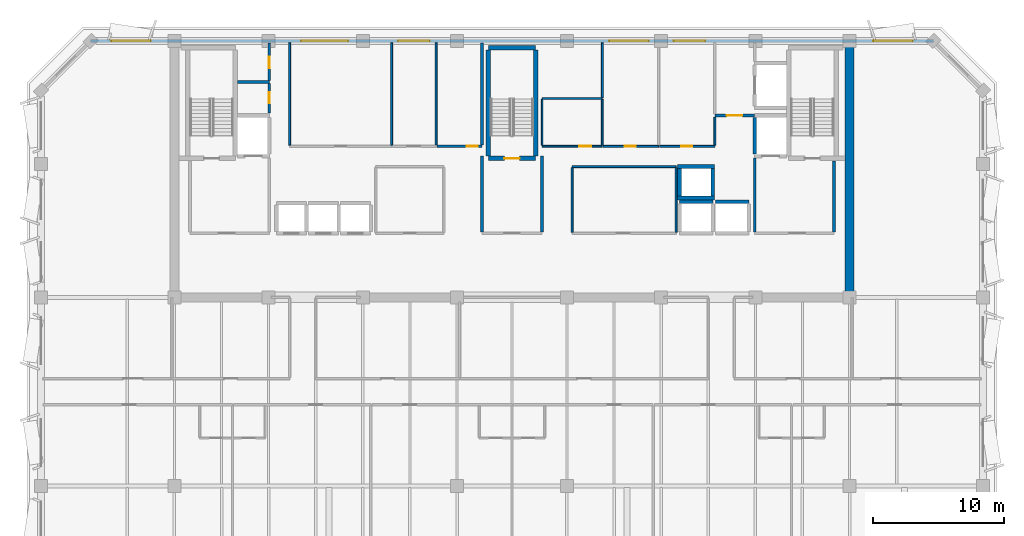
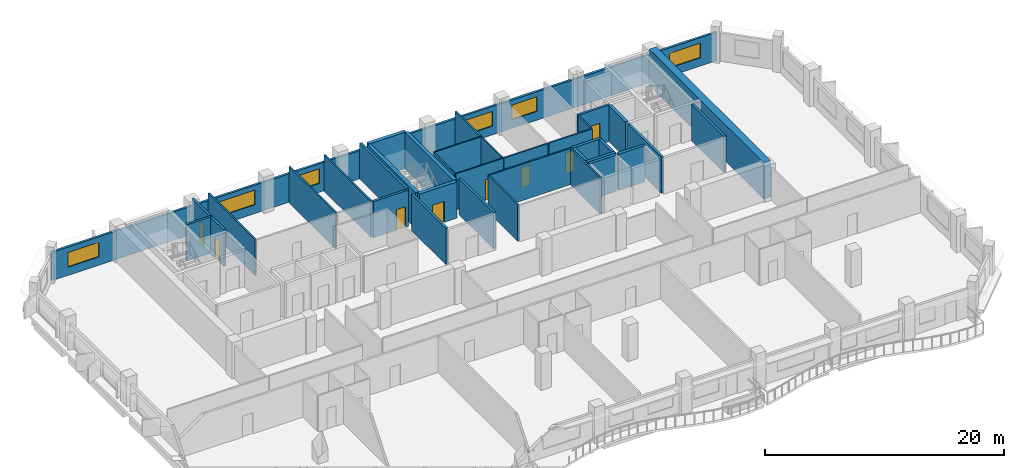
# One storey, part 6 of 10: 37 walls, 8 doors, 6 windows, 14 openings.
"""IFC4 building model written with IfcOpenShell, lengths in metres."""

from ifc_helpers import new_model, si_unit, direction, frame, frame_2d, origin, place, context, subcontext, project, spatial, rectangle, extrude, material, layer, layer_set, type_object, element, fill, save


model = new_model("IFC4")

# Units and contexts
model_context = context("Model", 3, precision=1e-05, world=origin(), true_north=direction((0.0, 1.0)))
body_context = subcontext(model_context, "Body", "Model", "MODEL_VIEW")
ifc_project = project(units=[si_unit("LENGTHUNIT", "METRE"), si_unit("AREAUNIT", "SQUARE_METRE"), si_unit("VOLUMEUNIT", "CUBIC_METRE"), si_unit("PLANEANGLEUNIT", "RADIAN"), si_unit("MASSUNIT", "GRAM", prefix="KILO")], contexts=[model_context])

# Site, building, storey
site_placement = place(None, origin())
site = spatial("IfcSite", under=ifc_project, at=site_placement, CompositionType="ELEMENT")
building_placement = place(site_placement, origin())
building = spatial("IfcBuilding", under=site, at=building_placement, Name="Kaelvorn Grand Hotel", CompositionType="ELEMENT")
storey_placement = place(building_placement, frame((0.0, 0.0, 264.699951171875)))
storey = spatial("IfcBuildingStorey", under=building, at=storey_placement, Name="L65", CompositionType="ELEMENT", Elevation=264.699951171875)

# Wall
ifc_material_1 = material(Name="Concrete C50/60", Category="concrete")
ifc_layer_1 = layer(ifc_material_1, 0.699951171875)
ifc_layer_set_1 = layer_set([ifc_layer_1], Name="Concrete C50/60")
wall_type_1 = type_object("IfcWallType", Name="WL-CORE-700-C50", PredefinedType="SHEAR", material=ifc_layer_set_1)
wall_1_placement = place(storey_placement, frame((67.800048828125, 29.39990234375, 0.0), z_axis=(0.0, 0.0, 1.0), x_axis=(0.0, 1.0, 0.0)))
element("IfcWall", 1, at=wall_1_placement, inside=storey, type_object=wall_type_1, Name="L65 Rear-Core East Shear Wall", PredefinedType="SHEAR", context=body_context, shape_type="SweptSolid", body=[
    extrude(rectangle(XDim=19.2001953125, YDim=0.699951171875, at=frame_2d((9.60009765625, 0.0))), origin(), (0.0, 0.0, 1.0), 3.7099609375),
])

# Wall, openings, windows
ifc_material_2 = material(Name="Concrete C40/50", Category="concrete")
ifc_layer_2 = layer(ifc_material_2, 0.219970703125)
ifc_layer_set_2 = layer_set([ifc_layer_2], Name="Concrete C40/50")
wall_type_2 = type_object("IfcWallType", Name="WL-EXT-220-C40", PredefinedType="SOLIDWALL", material=ifc_layer_set_2)
wall_2_placement = place(storey_placement, frame((74.199951171875, 49.0, 0.0), z_axis=(0.0, 0.0, 1.0), x_axis=(-1.0, 0.0, 0.0)))
wall_2 = element("IfcWall", 2, at=wall_2_placement, inside=storey, type_object=wall_type_2, Name="L65 Exterior Architectural Concrete Wall 05", PredefinedType="SOLIDWALL", context=body_context, shape_type="SweptSolid", body=[
    extrude(rectangle(XDim=64.39990234375, YDim=0.219970703125, at=frame_2d((32.199951171875, 0.0))), origin(), (0.0, 0.0, 1.0), 2.91015625),
])
opening_1_placement = place(wall_2_placement, frame((59.81494140625, 0.0, 0.85009765625)))
opening_1 = element("IfcOpeningElement", 3, at=opening_1_placement, cuts=wall_2, Name="Opening W5", PredefinedType="OPENING", context=body_context, shape_type="SweptSolid", body=[
    extrude(rectangle(XDim=3.0, YDim=1.5, at=frame_2d((1.5, 0.75))), frame((0.0, 0.1201171875, 0.0), z_axis=(0.0, -1.0, 0.0), x_axis=(1.0, 0.0, 0.0)), (0.0, 0.0, 1.0), 0.239990234375),
])
opening_2_placement = place(wall_2_placement, frame((1.5849609375, 0.0, 0.85009765625)))
opening_2 = element("IfcOpeningElement", 4, at=opening_2_placement, cuts=wall_2, Name="Opening W5", PredefinedType="OPENING", context=body_context, shape_type="SweptSolid", body=[
    extrude(rectangle(XDim=3.0, YDim=1.5, at=frame_2d((1.5, 0.75))), frame((0.0, 0.1201171875, 0.0), z_axis=(0.0, -1.0, 0.0), x_axis=(1.0, 0.0, 0.0)), (0.0, 0.0, 1.0), 0.239990234375),
])
opening_3_placement = place(wall_2_placement, frame((44.715087890625, 0.0, 0.89990234375)))
opening_3 = element("IfcOpeningElement", 5, at=opening_3_placement, cuts=wall_2, Name="Opening W3", PredefinedType="OPENING", context=body_context, shape_type="SweptSolid", body=[
    extrude(rectangle(XDim=3.60009765625, YDim=1.5, at=frame_2d((1.800048828125, 0.75))), frame((0.0, 0.1201171875, 0.0), z_axis=(0.0, -1.0, 0.0), x_axis=(1.0, 0.0, 0.0)), (0.0, 0.0, 1.0), 0.239990234375),
])
opening_4_placement = place(wall_2_placement, frame((38.5, 0.0, 0.89990234375)))
opening_4 = element("IfcOpeningElement", 6, at=opening_4_placement, cuts=wall_2, Name="Opening W6", PredefinedType="OPENING", context=body_context, shape_type="SweptSolid", body=[
    extrude(rectangle(XDim=2.39990234375, YDim=1.5, at=frame_2d((1.199951171875, 0.75))), frame((0.0, 0.1201171875, 0.0), z_axis=(0.0, -1.0, 0.0), x_axis=(1.0, 0.0, 0.0)), (0.0, 0.0, 1.0), 0.239990234375),
])
opening_5_placement = place(wall_2_placement, frame((21.75, 0.0, 0.89990234375)))
opening_5 = element("IfcOpeningElement", 7, at=opening_5_placement, cuts=wall_2, Name="Opening W5", PredefinedType="OPENING", context=body_context, shape_type="SweptSolid", body=[
    extrude(rectangle(XDim=3.0, YDim=1.5, at=frame_2d((1.5, 0.75))), frame((0.0, 0.1201171875, 0.0), z_axis=(0.0, -1.0, 0.0), x_axis=(1.0, 0.0, 0.0)), (0.0, 0.0, 1.0), 0.239990234375),
])
opening_6_placement = place(wall_2_placement, frame((17.43505859375, 0.0, 0.89990234375)))
opening_6 = element("IfcOpeningElement", 8, at=opening_6_placement, cuts=wall_2, Name="Opening W6", PredefinedType="OPENING", context=body_context, shape_type="SweptSolid", body=[
    extrude(rectangle(XDim=2.39990234375, YDim=1.5, at=frame_2d((1.199951171875, 0.75))), frame((0.0, 0.1201171875, 0.0), z_axis=(0.0, -1.0, 0.0), x_axis=(1.0, 0.0, 0.0)), (0.0, 0.0, 1.0), 0.239990234375),
])
ifc_material_3 = material(Name="Laminated Low-E Glass", Category="glass")
window_type_1 = type_object("IfcWindowType", Name="WIN-NTH-2400x1500", PartitioningType="SINGLE_PANEL", PredefinedType="WINDOW", material=ifc_material_3)
window_1_placement = place(opening_4_placement, origin())
window_1 = element("IfcWindow", 9, at=window_1_placement, inside=storey, type_object=window_type_1, Name="L65 North Core Clerestory Ribbon Window NC04", OverallHeight=1.5, OverallWidth=2.39990234375, PartitioningType="SINGLE_PANEL", PredefinedType="WINDOW", context=body_context, shape_type="SweptSolid", body=[
    extrude(rectangle(XDim=2.39990234375, YDim=1.5, at=frame_2d((1.199951171875, 0.75))), frame((0.0, 0.030029296875, 0.0), z_axis=(0.0, -1.0, 0.0), x_axis=(1.0, 0.0, 0.0)), (0.0, 0.0, 1.0), 0.06005859375),
])
fill(opening_4, window_1)
window_2_placement = place(opening_6_placement, origin())
window_2 = element("IfcWindow", 10, at=window_2_placement, inside=storey, type_object=window_type_1, Name="L65 North Core Clerestory Ribbon Window NC06", OverallHeight=1.5, OverallWidth=2.39990234375, PartitioningType="SINGLE_PANEL", PredefinedType="WINDOW", context=body_context, shape_type="SweptSolid", body=[
    extrude(rectangle(XDim=2.39990234375, YDim=1.5, at=frame_2d((1.199951171875, 0.75))), frame((0.0, 0.030029296875, 0.0), z_axis=(0.0, -1.0, 0.0), x_axis=(1.0, 0.0, 0.0)), (0.0, 0.0, 1.0), 0.06005859375),
])
fill(opening_6, window_2)
window_type_2 = type_object("IfcWindowType", Name="WIN-NTH-3000x1500", PartitioningType="SINGLE_PANEL", PredefinedType="WINDOW", material=ifc_material_3)
window_3_placement = place(opening_1_placement, origin())
window_3 = element("IfcWindow", 11, at=window_3_placement, inside=storey, type_object=window_type_2, Name="L65 North Wing Ribbon Window NW01", OverallHeight=1.5, OverallWidth=3.0, PartitioningType="SINGLE_PANEL", PredefinedType="WINDOW", context=body_context, shape_type="SweptSolid", body=[
    extrude(rectangle(XDim=3.0, YDim=1.5, at=frame_2d((1.5, 0.75))), frame((0.0, 0.030029296875, 0.0), z_axis=(0.0, -1.0, 0.0), x_axis=(1.0, 0.0, 0.0)), (0.0, 0.0, 1.0), 0.06005859375),
])
fill(opening_1, window_3)
window_4_placement = place(opening_2_placement, origin())
window_4 = element("IfcWindow", 12, at=window_4_placement, inside=storey, type_object=window_type_2, Name="L65 North Wing Ribbon Window NW02", OverallHeight=1.5, OverallWidth=3.0, PartitioningType="SINGLE_PANEL", PredefinedType="WINDOW", context=body_context, shape_type="SweptSolid", body=[
    extrude(rectangle(XDim=3.0, YDim=1.5, at=frame_2d((1.5, 0.75))), frame((0.0, 0.030029296875, 0.0), z_axis=(0.0, -1.0, 0.0), x_axis=(1.0, 0.0, 0.0)), (0.0, 0.0, 1.0), 0.06005859375),
])
fill(opening_2, window_4)
window_5_placement = place(opening_5_placement, origin())
window_5 = element("IfcWindow", 13, at=window_5_placement, inside=storey, type_object=window_type_2, Name="L65 North Core Clerestory Ribbon Window NC05", OverallHeight=1.5, OverallWidth=3.0, PartitioningType="SINGLE_PANEL", PredefinedType="WINDOW", context=body_context, shape_type="SweptSolid", body=[
    extrude(rectangle(XDim=3.0, YDim=1.5, at=frame_2d((1.5, 0.75))), frame((0.0, 0.030029296875, 0.0), z_axis=(0.0, -1.0, 0.0), x_axis=(1.0, 0.0, 0.0)), (0.0, 0.0, 1.0), 0.06005859375),
])
fill(opening_5, window_5)
window_type_3 = type_object("IfcWindowType", Name="WIN-RIB-3600x1750", PartitioningType="SINGLE_PANEL", PredefinedType="WINDOW", material=ifc_material_3)
window_6_placement = place(opening_3_placement, origin())
window_6 = element("IfcWindow", 14, at=window_6_placement, inside=storey, type_object=window_type_3, Name="L65 North Core Clerestory Ribbon Window NC03", OverallHeight=1.5, OverallWidth=3.60009765625, PartitioningType="SINGLE_PANEL", PredefinedType="WINDOW", context=body_context, shape_type="SweptSolid", body=[
    extrude(rectangle(XDim=3.60009765625, YDim=1.5, at=frame_2d((1.800048828125, 0.75))), frame((0.0, 0.030029296875, 0.0), z_axis=(0.0, -1.0, 0.0), x_axis=(1.0, 0.0, 0.0)), (0.0, 0.0, 1.0), 0.06005859375),
])
fill(opening_3, window_6)

# Wall, opening, door
ifc_material_4 = material(Name="Moisture-Resistant Tile & Stud Board")
ifc_layer_3 = layer(ifc_material_4, 0.125)
ifc_layer_set_3 = layer_set([ifc_layer_3], Name="Moisture-Resistant Tile & Stud Board")
wall_type_3 = type_object("IfcWallType", Name="WL-PART-125-WET", PredefinedType="PARTITIONING", material=ifc_layer_set_3)
wall_3_placement = place(storey_placement, frame((44.300048828125, 40.949951171875, 0.0), z_axis=(0.0, 0.0, 1.0), x_axis=(1.0, 0.0, 0.0)))
wall_3 = element("IfcWall", 15, at=wall_3_placement, inside=storey, type_object=wall_type_3, Name="L65 Accessible WC S Partition", PredefinedType="PARTITIONING", context=body_context, shape_type="SweptSolid", body=[
    extrude(rectangle(XDim=4.599853515625, YDim=0.125, at=frame_2d((2.2998046875, 0.0))), origin(), (0.0, 0.0, 1.0), 3.7099609375),
])
opening_7_placement = place(wall_3_placement, frame((2.85009765625, 0.0, 0.0)))
opening_7 = element("IfcOpeningElement", 16, at=opening_7_placement, cuts=wall_3, Name="Opening DI4", PredefinedType="OPENING", context=body_context, shape_type="SweptSolid", body=[
    extrude(rectangle(XDim=0.89990234375, YDim=2.10009765625, at=frame_2d((0.449951171875, 1.050048828125))), frame((0.0, 0.072509765625, 0.0), z_axis=(0.0, -1.0, 0.0), x_axis=(1.0, 0.0, 0.0)), (0.0, 0.0, 1.0), 0.14501953125),
])
ifc_material_5 = material(Name="Timber Veneer Leaf", Category="wood")
door_type_1 = type_object("IfcDoorType", Name="DR-INT-BATH-900x2100", OperationType="NOTDEFINED", PredefinedType="DOOR", material=ifc_material_5)
door_1_placement = place(opening_7_placement, origin())
door_1 = element("IfcDoor", 17, at=door_1_placement, inside=storey, type_object=door_type_1, Name="L65 Accessible WC Door", OperationType="SINGLE_SWING_LEFT", OverallHeight=2.10009765625, OverallWidth=0.89990234375, PredefinedType="DOOR", context=body_context, shape_type="SweptSolid", body=[
    extrude(rectangle(XDim=0.89990234375, YDim=2.10009765625, at=frame_2d((0.449951171875, 1.050048828125))), frame((0.0, 0.02490234375, 0.0), z_axis=(0.0, -1.0, 0.0), x_axis=(1.0, 0.0, 0.0)), (0.0, 0.0, 1.0), 0.050048828125),
])
fill(opening_7, door_1)

# Walls
wall_4_placement = place(storey_placement, frame((44.300048828125, 44.60009765625, 0.0), z_axis=(0.0, 0.0, 1.0), x_axis=(1.0, 0.0, 0.0)))
element("IfcWall", 18, at=wall_4_placement, inside=storey, type_object=wall_type_3, Name="L65 Accessible WC N Partition", PredefinedType="PARTITIONING", context=body_context, shape_type="SweptSolid", body=[
    extrude(rectangle(XDim=4.599853515625, YDim=0.125, at=frame_2d((2.2998046875, 0.0))), origin(), (0.0, 0.0, 1.0), 3.7099609375),
])
for number, where, z_axis, x_axis, name in (
    (19, (44.300048828125, 41.017578125, 0.0), (0.0, 0.0, 1.0), (0.0, 1.0, 0.0), "L65 Accessible WC W Partition"),
    (20, (48.89990234375, 41.017578125, 0.0), (0.0, 0.0, 1.0), (0.0, 1.0, 0.0), "L65 Accessible WC E Partition"),
):
    element("IfcWall", number, at=place(storey_placement, frame(where, z_axis=z_axis, x_axis=x_axis)), inside=storey, type_object=wall_type_3, Name=name, PredefinedType="PARTITIONING", context=body_context, shape_type="SweptSolid", body=[
        extrude(rectangle(XDim=3.514892578125, YDim=0.125, at=frame_2d((1.75732421875, 0.0))), origin(), (0.0, 0.0, 1.0), 3.7099609375),
    ])
ifc_material_6 = material(Name="Acoustic Gypsum & Stud Partition")
ifc_layer_4 = layer(ifc_material_6, 0.14990234375)
ifc_layer_set_4 = layer_set([ifc_layer_4], Name="Acoustic Gypsum & Stud Partition")
wall_type_4 = type_object("IfcWallType", Name="WL-PART-150-EI60", PredefinedType="PARTITIONING", material=ifc_layer_set_4)
wall_5_placement = place(storey_placement, frame((46.60009765625, 39.39990234375, 0.0), z_axis=(0.0, 0.0, 1.0), x_axis=(1.0, 0.0, 0.0)))
element("IfcWall", 21, at=wall_5_placement, inside=storey, type_object=wall_type_4, Name="L65 Sky Concierge & Butler Pantry Lounge N Partition", PredefinedType="PARTITIONING", context=body_context, shape_type="SweptSolid", body=[
    extrude(rectangle(XDim=7.949951171875, YDim=0.14990234375, at=frame_2d((3.97509765625, 0.0))), origin(), (0.0, 0.0, 1.0), 3.7099609375),
])
for number, where, z_axis, x_axis, name in (
    (22, (46.60009765625, 34.3798828125, 0.0), (0.0, 0.0, 1.0), (0.0, 1.0, 0.0), "L65 Sky Concierge & Butler Pantry Lounge W Partition"),
    (23, (54.550048828125, 34.3798828125, 0.0), (0.0, 0.0, 1.0), (0.0, 1.0, 0.0), "L65 Sky Concierge & Butler Pantry Lounge E Partition"),
):
    element("IfcWall", number, at=place(storey_placement, frame(where, z_axis=z_axis, x_axis=x_axis)), inside=storey, type_object=wall_type_4, Name=name, PredefinedType="PARTITIONING", context=body_context, shape_type="SweptSolid", body=[
        extrude(rectangle(XDim=4.940185546875, YDim=0.14990234375, at=frame_2d((2.47021484375, 0.0))), origin(), (0.0, 0.0, 1.0), 3.7099609375),
    ])
for number, where, z_axis, x_axis, name in (
    (24, (25.0, 41.030029296875, 0.0), (0.0, 0.0, 1.0), (0.0, 1.0, 0.0), "L65 Housekeeping & Linen Room W Partition"),
    (25, (32.800048828125, 41.030029296875, 0.0), (0.0, 0.0, 1.0), (0.0, 1.0, 0.0), "L65 Housekeeping & Linen Room E Partition"),
    (26, (36.199951171875, 41.030029296875, 0.0), (0.0, 0.0, 1.0), (0.0, 1.0, 0.0), "L65 Floor Butler Tea Point E Partition"),
):
    element("IfcWall", number, at=place(storey_placement, frame(where, z_axis=z_axis, x_axis=x_axis)), inside=storey, type_object=wall_type_4, Name=name, PredefinedType="PARTITIONING", context=body_context, shape_type="SweptSolid", body=[
        extrude(rectangle(XDim=7.820068359375, YDim=0.14990234375, at=frame_2d((3.91015625, 0.0))), origin(), (0.0, 0.0, 1.0), 3.7099609375),
    ])

# Wall, opening, door
wall_6_placement = place(storey_placement, frame((48.967529296875, 40.949951171875, 0.0), z_axis=(0.0, 0.0, 1.0), x_axis=(1.0, 0.0, 0.0)))
wall_6 = element("IfcWall", 27, at=wall_6_placement, inside=storey, type_object=wall_type_4, Name="L65 Minibar & Glassware Store S Partition", PredefinedType="PARTITIONING", context=body_context, shape_type="SweptSolid", body=[
    extrude(rectangle(XDim=4.232421875, YDim=0.14990234375, at=frame_2d((2.1162109375, 0.0))), origin(), (0.0, 0.0, 1.0), 3.7099609375),
])
opening_8_placement = place(wall_6_placement, frame((1.657470703125, 0.0, 0.0)))
opening_8 = element("IfcOpeningElement", 28, at=opening_8_placement, cuts=wall_6, Name="Opening DI7", PredefinedType="OPENING", context=body_context, shape_type="SweptSolid", body=[
    extrude(rectangle(XDim=0.85009765625, YDim=2.10009765625, at=frame_2d((0.425048828125, 1.050048828125))), frame((0.0, 0.0849609375, 0.0), z_axis=(0.0, -1.0, 0.0), x_axis=(1.0, 0.0, 0.0)), (0.0, 0.0, 1.0), 0.169921875),
])
ifc_material_7 = material(Name="Powder-Coated Steel Leaf", Category="steel")
door_type_2 = type_object("IfcDoorType", Name="DR-INT-RISER-850x2100", OperationType="NOTDEFINED", PredefinedType="DOOR", material=ifc_material_7)
door_2_placement = place(opening_8_placement, origin())
door_2 = element("IfcDoor", 29, at=door_2_placement, inside=storey, type_object=door_type_2, Name="L65 Minibar & Glassware Store Door", OperationType="SINGLE_SWING_RIGHT", OverallHeight=2.10009765625, OverallWidth=0.85009765625, PredefinedType="DOOR", context=body_context, shape_type="SweptSolid", body=[
    extrude(rectangle(XDim=0.85009765625, YDim=2.10009765625, at=frame_2d((0.425048828125, 1.050048828125))), frame((0.0, 0.02490234375, 0.0), z_axis=(0.0, -1.0, 0.0), x_axis=(1.0, 0.0, 0.0)), (0.0, 0.0, 1.0), 0.050048828125),
])
fill(opening_8, door_2)

# Wall
wall_7_placement = place(storey_placement, frame((48.89990234375, 44.66748046875, 0.0), z_axis=(0.0, 0.0, 1.0), x_axis=(0.0, 1.0, 0.0)))
element("IfcWall", 30, at=wall_7_placement, inside=storey, type_object=wall_type_4, Name="L65 Minibar & Glassware Store W Partition", PredefinedType="PARTITIONING", context=body_context, shape_type="SweptSolid", body=[
    extrude(rectangle(XDim=4.1826171875, YDim=0.14990234375, at=frame_2d((2.09130859375, 0.0))), origin(), (0.0, 0.0, 1.0), 3.7099609375),
])

# Wall, opening, door
wall_8_placement = place(storey_placement, frame((53.280029296875, 40.949951171875, 0.0), z_axis=(0.0, 0.0, 1.0), x_axis=(1.0, 0.0, 0.0)))
wall_8 = element("IfcWall", 31, at=wall_8_placement, inside=storey, type_object=wall_type_4, Name="L65 Floor IT & Comms Room S Partition", PredefinedType="PARTITIONING", context=body_context, shape_type="SweptSolid", body=[
    extrude(rectangle(XDim=4.219970703125, YDim=0.14990234375, at=frame_2d((2.10986328125, 0.0))), origin(), (0.0, 0.0, 1.0), 3.7099609375),
])
opening_9_placement = place(wall_8_placement, frame((1.64501953125, 0.0, 0.0)))
opening_9 = element("IfcOpeningElement", 32, at=opening_9_placement, cuts=wall_8, Name="Opening DI7", PredefinedType="OPENING", context=body_context, shape_type="SweptSolid", body=[
    extrude(rectangle(XDim=0.85009765625, YDim=2.10009765625, at=frame_2d((0.425048828125, 1.050048828125))), frame((0.0, 0.0849609375, 0.0), z_axis=(0.0, -1.0, 0.0), x_axis=(1.0, 0.0, 0.0)), (0.0, 0.0, 1.0), 0.169921875),
])
door_3_placement = place(opening_9_placement, origin())
door_3 = element("IfcDoor", 33, at=door_3_placement, inside=storey, type_object=door_type_2, Name="L65 Floor IT & Comms Room Door", OperationType="SINGLE_SWING_LEFT", OverallHeight=2.10009765625, OverallWidth=0.85009765625, PredefinedType="DOOR", context=body_context, shape_type="SweptSolid", body=[
    extrude(rectangle(XDim=0.85009765625, YDim=2.10009765625, at=frame_2d((0.425048828125, 1.050048828125))), frame((0.0, 0.02490234375, 0.0), z_axis=(0.0, -1.0, 0.0), x_axis=(1.0, 0.0, 0.0)), (0.0, 0.0, 1.0), 0.050048828125),
])
fill(opening_9, door_3)

# Walls
wall_9_placement = place(storey_placement, frame((57.5, 41.030029296875, 0.0), z_axis=(0.0, 0.0, 1.0), x_axis=(0.0, 1.0, 0.0)))
element("IfcWall", 34, at=wall_9_placement, inside=storey, type_object=wall_type_4, Name="L65 Floor IT & Comms Room E Partition", PredefinedType="PARTITIONING", context=body_context, shape_type="SweptSolid", body=[
    extrude(rectangle(XDim=2.155029296875, YDim=0.14990234375, at=frame_2d((1.07763671875, 0.0))), origin(), (0.0, 0.0, 1.0), 3.7099609375),
])
ifc_layer_5 = layer(ifc_material_2, 0.219970703125)
ifc_layer_set_5 = layer_set([ifc_layer_5], Name="Concrete C40/50")
wall_type_5 = type_object("IfcWallType", Name="WL-PART-220-EI120", PredefinedType="PARTITIONING", material=ifc_layer_set_5)
wall_10_placement = place(storey_placement, frame((60.550048828125, 34.4150390625, 0.0), z_axis=(0.0, 0.0, 1.0), x_axis=(0.0, 1.0, 0.0)))
element("IfcWall", 35, at=wall_10_placement, inside=storey, type_object=wall_type_5, Name="L65 Firefighting Lift Lobby 2 W Partition", PredefinedType="PARTITIONING", context=body_context, shape_type="SweptSolid", body=[
    extrude(rectangle(XDim=5.639892578125, YDim=0.219970703125, at=frame_2d((2.81982421875, 0.0))), origin(), (0.0, 0.0, 1.0), 3.7099609375),
])
wall_11_placement = place(storey_placement, frame((66.60009765625, 34.4150390625, 0.0), z_axis=(0.0, 0.0, 1.0), x_axis=(0.0, 1.0, 0.0)))
element("IfcWall", 36, at=wall_11_placement, inside=storey, type_object=wall_type_5, Name="L65 Firefighting Lift Lobby 2 E Partition", PredefinedType="PARTITIONING", context=body_context, shape_type="SweptSolid", body=[
    extrude(rectangle(XDim=5.429931640625, YDim=0.219970703125, at=frame_2d((2.71484375, 0.0))), origin(), (0.0, 0.0, 1.0), 3.7099609375),
])
for number, where, z_axis, x_axis, name in (
    (37, (39.699951171875, 34.4150390625, 0.0), (0.0, 0.0, 1.0), (0.0, 1.0, 0.0), "L65 Central Stair Escape Vestibule W Partition"),
    (38, (44.300048828125, 34.4150390625, 0.0), (0.0, 0.0, 1.0), (0.0, 1.0, 0.0), "L65 Central Stair Escape Vestibule E Partition"),
):
    element("IfcWall", number, at=place(storey_placement, frame(where, z_axis=z_axis, x_axis=x_axis)), inside=storey, type_object=wall_type_5, Name=name, PredefinedType="PARTITIONING", context=body_context, shape_type="SweptSolid", body=[
        extrude(rectangle(XDim=5.784912109375, YDim=0.219970703125, at=frame_2d((2.892578125, 0.0))), origin(), (0.0, 0.0, 1.0), 3.7099609375),
    ])

# Wall, opening, door
wall_12_placement = place(storey_placement, frame((57.5, 43.300048828125, 0.0), z_axis=(0.0, 0.0, 1.0), x_axis=(1.0, 0.0, 0.0)))
wall_12 = element("IfcWall", 39, at=wall_12_placement, inside=storey, type_object=wall_type_5, Name="L65 Service Lift Lobby S Partition", PredefinedType="PARTITIONING", context=body_context, shape_type="SweptSolid", body=[
    extrude(rectangle(XDim=3.0400390625, YDim=0.219970703125, at=frame_2d((1.52001953125, 0.0))), origin(), (0.0, 0.0, 1.0), 3.7099609375),
])
opening_10_placement = place(wall_12_placement, frame((0.89990234375, 0.0, 0.0)))
opening_10 = element("IfcOpeningElement", 40, at=opening_10_placement, cuts=wall_12, Name="Opening DI2", PredefinedType="OPENING", context=body_context, shape_type="SweptSolid", body=[
    extrude(rectangle(XDim=1.199951171875, YDim=2.14990234375, at=frame_2d((0.60009765625, 1.074951171875))), frame((0.0, 0.1201171875, 0.0), z_axis=(0.0, -1.0, 0.0), x_axis=(1.0, 0.0, 0.0)), (0.0, 0.0, 1.0), 0.239990234375),
])
ifc_material_8 = material(Name="Timber Veneer Fire Leaf", Category="wood")
door_type_3 = type_object("IfcDoorType", Name="DR-INT-FFLOB-1200x2150", OperationType="NOTDEFINED", PredefinedType="DOOR", material=ifc_material_8)
door_4_placement = place(opening_10_placement, origin())
door_4 = element("IfcDoor", 41, at=door_4_placement, inside=storey, type_object=door_type_3, Name="L65 Service Lift Lobby Door", OperationType="SINGLE_SWING_LEFT", OverallHeight=2.14990234375, OverallWidth=1.199951171875, PredefinedType="DOOR", context=body_context, shape_type="SweptSolid", body=[
    extrude(rectangle(XDim=1.199951171875, YDim=2.14990234375, at=frame_2d((0.60009765625, 1.074951171875))), frame((0.0, 0.02490234375, 0.0), z_axis=(0.0, -1.0, 0.0), x_axis=(1.0, 0.0, 0.0)), (0.0, 0.0, 1.0), 0.050048828125),
])
fill(opening_10, door_4)

# Wall
wall_13_placement = place(storey_placement, frame((21.034912109375, 45.85009765625, 0.0), z_axis=(0.0, 0.0, 1.0), x_axis=(1.0, 0.0, 0.0)))
element("IfcWall", 42, at=wall_13_placement, inside=storey, type_object=wall_type_5, Name="L65 Wet Fire & Plumbing Riser Shaft N Partition", PredefinedType="PARTITIONING", context=body_context, shape_type="SweptSolid", body=[
    extrude(rectangle(XDim=2.4150390625, YDim=0.219970703125, at=frame_2d((1.20751953125, 0.0))), origin(), (0.0, 0.0, 1.0), 3.7099609375),
])

# Wall, opening, door
wall_14_placement = place(storey_placement, frame((23.449951171875, 43.5, 0.0), z_axis=(0.0, 0.0, 1.0), x_axis=(0.0, 1.0, 0.0)))
wall_14 = element("IfcWall", 43, at=wall_14_placement, inside=storey, type_object=wall_type_5, Name="L65 Wet Fire & Plumbing Riser Shaft E Partition", PredefinedType="PARTITIONING", context=body_context, shape_type="SweptSolid", body=[
    extrude(rectangle(XDim=2.235107421875, YDim=0.219970703125, at=frame_2d((1.11767578125, 0.0))), origin(), (0.0, 0.0, 1.0), 3.7099609375),
])
opening_11_placement = place(wall_14_placement, frame((0.72509765625, 0.0, 0.0)))
opening_11 = element("IfcOpeningElement", 44, at=opening_11_placement, cuts=wall_14, Name="Opening DI7", PredefinedType="OPENING", context=body_context, shape_type="SweptSolid", body=[
    extrude(rectangle(XDim=0.85009765625, YDim=2.10009765625, at=frame_2d((0.425048828125, 1.050048828125))), frame((0.0, 0.1201171875, 0.0), z_axis=(0.0, -1.0, 0.0), x_axis=(1.0, 0.0, 0.0)), (0.0, 0.0, 1.0), 0.239990234375),
])
door_5_placement = place(opening_11_placement, origin())
door_5 = element("IfcDoor", 45, at=door_5_placement, inside=storey, type_object=door_type_2, Name="L65 Wet Fire & Plumbing Riser Shaft Door", OperationType="SINGLE_SWING_RIGHT", OverallHeight=2.10009765625, OverallWidth=0.85009765625, PredefinedType="DOOR", context=body_context, shape_type="SweptSolid", body=[
    extrude(rectangle(XDim=0.85009765625, YDim=2.10009765625, at=frame_2d((0.425048828125, 1.050048828125))), frame((0.0, 0.02490234375, 0.0), z_axis=(0.0, -1.0, 0.0), x_axis=(1.0, 0.0, 0.0)), (0.0, 0.0, 1.0), 0.050048828125),
])
fill(opening_11, door_5)

wall_15_placement = place(storey_placement, frame((23.449951171875, 45.965087890625, 0.0), z_axis=(0.0, 0.0, 1.0), x_axis=(0.0, 1.0, 0.0)))
wall_15 = element("IfcWall", 46, at=wall_15_placement, inside=storey, type_object=wall_type_5, Name="L65 HV Electrical & Smoke Riser E Partition", PredefinedType="PARTITIONING", context=body_context, shape_type="SweptSolid", body=[
    extrude(rectangle(XDim=2.885009765625, YDim=0.219970703125, at=frame_2d((1.4423828125, 0.0))), origin(), (0.0, 0.0, 1.0), 3.7099609375),
])
opening_12_placement = place(wall_15_placement, frame((0.9599609375, 0.0, 0.0)))
opening_12 = element("IfcOpeningElement", 47, at=opening_12_placement, cuts=wall_15, Name="Opening DI7", PredefinedType="OPENING", context=body_context, shape_type="SweptSolid", body=[
    extrude(rectangle(XDim=0.85009765625, YDim=2.10009765625, at=frame_2d((0.425048828125, 1.050048828125))), frame((0.0, 0.1201171875, 0.0), z_axis=(0.0, -1.0, 0.0), x_axis=(1.0, 0.0, 0.0)), (0.0, 0.0, 1.0), 0.239990234375),
])
door_6_placement = place(opening_12_placement, origin())
door_6 = element("IfcDoor", 48, at=door_6_placement, inside=storey, type_object=door_type_2, Name="L65 HV Electrical & Smoke Riser Door", OperationType="SINGLE_SWING_LEFT", OverallHeight=2.10009765625, OverallWidth=0.85009765625, PredefinedType="DOOR", context=body_context, shape_type="SweptSolid", body=[
    extrude(rectangle(XDim=0.85009765625, YDim=2.10009765625, at=frame_2d((0.425048828125, 1.050048828125))), frame((0.0, 0.02490234375, 0.0), z_axis=(0.0, -1.0, 0.0), x_axis=(1.0, 0.0, 0.0)), (0.0, 0.0, 1.0), 0.050048828125),
])
fill(opening_12, door_6)

wall_16_placement = place(storey_placement, frame((36.280029296875, 40.949951171875, 0.0), z_axis=(0.0, 0.0, 1.0), x_axis=(1.0, 0.0, 0.0)))
wall_16 = element("IfcWall", 49, at=wall_16_placement, inside=storey, type_object=wall_type_5, Name="L65 LV Electrical & Metering Room S Partition", PredefinedType="PARTITIONING", context=body_context, shape_type="SweptSolid", body=[
    extrude(rectangle(XDim=3.419921875, YDim=0.219970703125, at=frame_2d((1.7099609375, 0.0))), origin(), (0.0, 0.0, 1.0), 3.7099609375),
])
opening_13_placement = place(wall_16_placement, frame((2.2451171875, 0.0, 0.0)))
opening_13 = element("IfcOpeningElement", 50, at=opening_13_placement, cuts=wall_16, Name="Opening DI7", PredefinedType="OPENING", context=body_context, shape_type="SweptSolid", body=[
    extrude(rectangle(XDim=0.85009765625, YDim=2.10009765625, at=frame_2d((0.425048828125, 1.050048828125))), frame((0.0, 0.1201171875, 0.0), z_axis=(0.0, -1.0, 0.0), x_axis=(1.0, 0.0, 0.0)), (0.0, 0.0, 1.0), 0.239990234375),
])
door_7_placement = place(opening_13_placement, origin())
door_7 = element("IfcDoor", 51, at=door_7_placement, inside=storey, type_object=door_type_2, Name="L65 LV Electrical & Metering Room Door", OperationType="SINGLE_SWING_RIGHT", OverallHeight=2.10009765625, OverallWidth=0.85009765625, PredefinedType="DOOR", context=body_context, shape_type="SweptSolid", body=[
    extrude(rectangle(XDim=0.85009765625, YDim=2.10009765625, at=frame_2d((0.425048828125, 1.050048828125))), frame((0.0, 0.02490234375, 0.0), z_axis=(0.0, -1.0, 0.0), x_axis=(1.0, 0.0, 0.0)), (0.0, 0.0, 1.0), 0.050048828125),
])
fill(opening_13, door_7)

# Walls
wall_17_placement = place(storey_placement, frame((39.699951171875, 41.06494140625, 0.0), z_axis=(0.0, 0.0, 1.0), x_axis=(0.0, 1.0, 0.0)))
element("IfcWall", 52, at=wall_17_placement, inside=storey, type_object=wall_type_5, Name="L65 LV Electrical & Metering Room E Partition", PredefinedType="PARTITIONING", context=body_context, shape_type="SweptSolid", body=[
    extrude(rectangle(XDim=7.78515625, YDim=0.219970703125, at=frame_2d((3.892578125, 0.0))), origin(), (0.0, 0.0, 1.0), 3.7099609375),
])
ifc_layer_6 = layer(ifc_material_1, 0.280029296875)
ifc_layer_set_6 = layer_set([ifc_layer_6], Name="Concrete C50/60")
wall_type_6 = type_object("IfcWallType", Name="WL-SHAFT-280-C50", PredefinedType="SHEAR", material=ifc_layer_set_6)
for number, where, z_axis, x_axis, name in (
    (53, (54.800048828125, 36.699951171875, 0.0), (0.0, 0.0, 1.0), (1.0, 0.0, 0.0), "L65 Lift OL-1 Shaft North Wall"),
    (54, (57.550048828125, 36.699951171875, 0.0), (0.0, 0.0, 1.0), (1.0, 0.0, 0.0), "L65 Lift OL-2 Shaft North Wall"),
):
    element("IfcWall", number, at=place(storey_placement, frame(where, z_axis=z_axis, x_axis=x_axis)), inside=storey, type_object=wall_type_6, Name=name, PredefinedType="SHEAR", context=body_context, shape_type="SweptSolid", body=[
        extrude(rectangle(XDim=2.550048828125, YDim=0.280029296875, at=frame_2d((1.27490234375, 0.0))), origin(), (0.0, 0.0, 1.0), 3.7099609375),
    ])
for number, where, z_axis, x_axis, name in (
    (55, (54.659912109375, 37.0, 0.0), (0.0, 0.0, 1.0), (1.0, 0.0, 0.0), "L65 Lift OL-3 Shaft South Wall"),
    (56, (54.659912109375, 39.39990234375, 0.0), (0.0, 0.0, 1.0), (1.0, 0.0, 0.0), "L65 Lift OL-3 Shaft North Wall"),
):
    element("IfcWall", number, at=place(storey_placement, frame(where, z_axis=z_axis, x_axis=x_axis)), inside=storey, type_object=wall_type_6, Name=name, PredefinedType="SHEAR", context=body_context, shape_type="SweptSolid", body=[
        extrude(rectangle(XDim=2.830078125, YDim=0.280029296875, at=frame_2d((1.4150390625, 0.0))), origin(), (0.0, 0.0, 1.0), 3.7099609375),
    ])
for number, where, z_axis, x_axis, name in (
    (57, (54.800048828125, 37.14501953125, 0.0), (0.0, 0.0, 1.0), (0.0, 1.0, 0.0), "L65 Lift OL-3 Shaft West Wall"),
    (58, (57.35009765625, 37.14501953125, 0.0), (0.0, 0.0, 1.0), (0.0, 1.0, 0.0), "L65 Lift OL-3 Shaft East Wall"),
):
    element("IfcWall", number, at=place(storey_placement, frame(where, z_axis=z_axis, x_axis=x_axis)), inside=storey, type_object=wall_type_6, Name=name, PredefinedType="SHEAR", context=body_context, shape_type="SweptSolid", body=[
        extrude(rectangle(XDim=2.10986328125, YDim=0.280029296875, at=frame_2d((1.054931640625, 0.0))), origin(), (0.0, 0.0, 1.0), 3.7099609375),
    ])
wall_18_placement = place(storey_placement, frame((60.550048828125, 40.344970703125, 0.0), z_axis=(0.0, 0.0, 1.0), x_axis=(0.0, 1.0, 0.0)))
element("IfcWall", 59, at=wall_18_placement, inside=storey, type_object=wall_type_6, Name="L65 Lift FFL2 Shaft West Wall", PredefinedType="SHEAR", context=body_context, shape_type="SweptSolid", body=[
    extrude(rectangle(XDim=2.81005859375, YDim=0.280029296875, at=frame_2d((1.405029296875, 0.0))), origin(), (0.0, 0.0, 1.0), 3.7099609375),
])

# Wall, opening, door
ifc_material_9 = material(Name="Concrete C60/75", Category="concrete")
ifc_layer_7 = layer(ifc_material_9, 0.35009765625)
ifc_layer_set_7 = layer_set([ifc_layer_7], Name="Concrete C60/75")
wall_type_7 = type_object("IfcWallType", Name="WL-SHAFT-350-C60", PredefinedType="SHEAR", material=ifc_layer_set_7)
wall_19_placement = place(storey_placement, frame((40.18505859375, 40.02490234375, 0.0), z_axis=(0.0, 0.0, 1.0), x_axis=(1.0, 0.0, 0.0)))
wall_19 = element("IfcWall", 60, at=wall_19_placement, inside=storey, type_object=wall_type_7, Name="L65 ST2 Stair Shaft South Wall", PredefinedType="SHEAR", context=body_context, shape_type="SweptSolid", body=[
    extrude(rectangle(XDim=3.6298828125, YDim=0.35009765625, at=frame_2d((1.81494140625, 0.0))), origin(), (0.0, 0.0, 1.0), 3.7099609375),
])
opening_14_placement = place(wall_19_placement, frame((1.239990234375, 0.0, 0.0)))
opening_14 = element("IfcOpeningElement", 61, at=opening_14_placement, cuts=wall_19, Name="Opening DI1", PredefinedType="OPENING", context=body_context, shape_type="SweptSolid", body=[
    extrude(rectangle(XDim=1.14990234375, YDim=2.14990234375, at=frame_2d((0.574951171875, 1.074951171875))), frame((0.0, 0.18505859375, 0.0), z_axis=(0.0, -1.0, 0.0), x_axis=(1.0, 0.0, 0.0)), (0.0, 0.0, 1.0), 0.3701171875),
])
door_type_4 = type_object("IfcDoorType", Name="DR-INT-STAIR-1150x2150", OperationType="NOTDEFINED", PredefinedType="DOOR", material=ifc_material_8)
door_8_placement = place(opening_14_placement, origin())
door_8 = element("IfcDoor", 62, at=door_8_placement, inside=storey, type_object=door_type_4, Name="L65 ST2 Exit Stair Fire Door", OperationType="SINGLE_SWING_RIGHT", OverallHeight=2.14990234375, OverallWidth=1.14990234375, PredefinedType="DOOR", context=body_context, shape_type="SweptSolid", body=[
    extrude(rectangle(XDim=1.14990234375, YDim=2.14990234375, at=frame_2d((0.574951171875, 1.074951171875))), frame((0.0, 0.02490234375, 0.0), z_axis=(0.0, -1.0, 0.0), x_axis=(1.0, 0.0, 0.0)), (0.0, 0.0, 1.0), 0.050048828125),
])
fill(opening_14, door_8)

# Walls
wall_20_placement = place(storey_placement, frame((40.18505859375, 48.47509765625, 0.0), z_axis=(0.0, 0.0, 1.0), x_axis=(1.0, 0.0, 0.0)))
element("IfcWall", 63, at=wall_20_placement, inside=storey, type_object=wall_type_7, Name="L65 ST2 Stair Shaft North Wall", PredefinedType="SHEAR", context=body_context, shape_type="SweptSolid", body=[
    extrude(rectangle(XDim=3.6298828125, YDim=0.35009765625, at=frame_2d((1.81494140625, 0.0))), origin(), (0.0, 0.0, 1.0), 3.7099609375),
])
for number, where, z_axis, x_axis, name in (
    (64, (40.18505859375, 40.205078125, 0.0), (0.0, 0.0, 1.0), (0.0, 1.0, 0.0), "L65 ST2 Stair Shaft West Wall"),
    (65, (43.81494140625, 40.205078125, 0.0), (0.0, 0.0, 1.0), (0.0, 1.0, 0.0), "L65 ST2 Stair Shaft East Wall"),
):
    element("IfcWall", number, at=place(storey_placement, frame(where, z_axis=z_axis, x_axis=x_axis)), inside=storey, type_object=wall_type_7, Name=name, PredefinedType="SHEAR", context=body_context, shape_type="SweptSolid", body=[
        extrude(rectangle(XDim=8.08984375, YDim=0.35009765625, at=frame_2d((4.044921875, 0.0))), origin(), (0.0, 0.0, 1.0), 3.7099609375),
    ])

save(model, "model.ifc")
